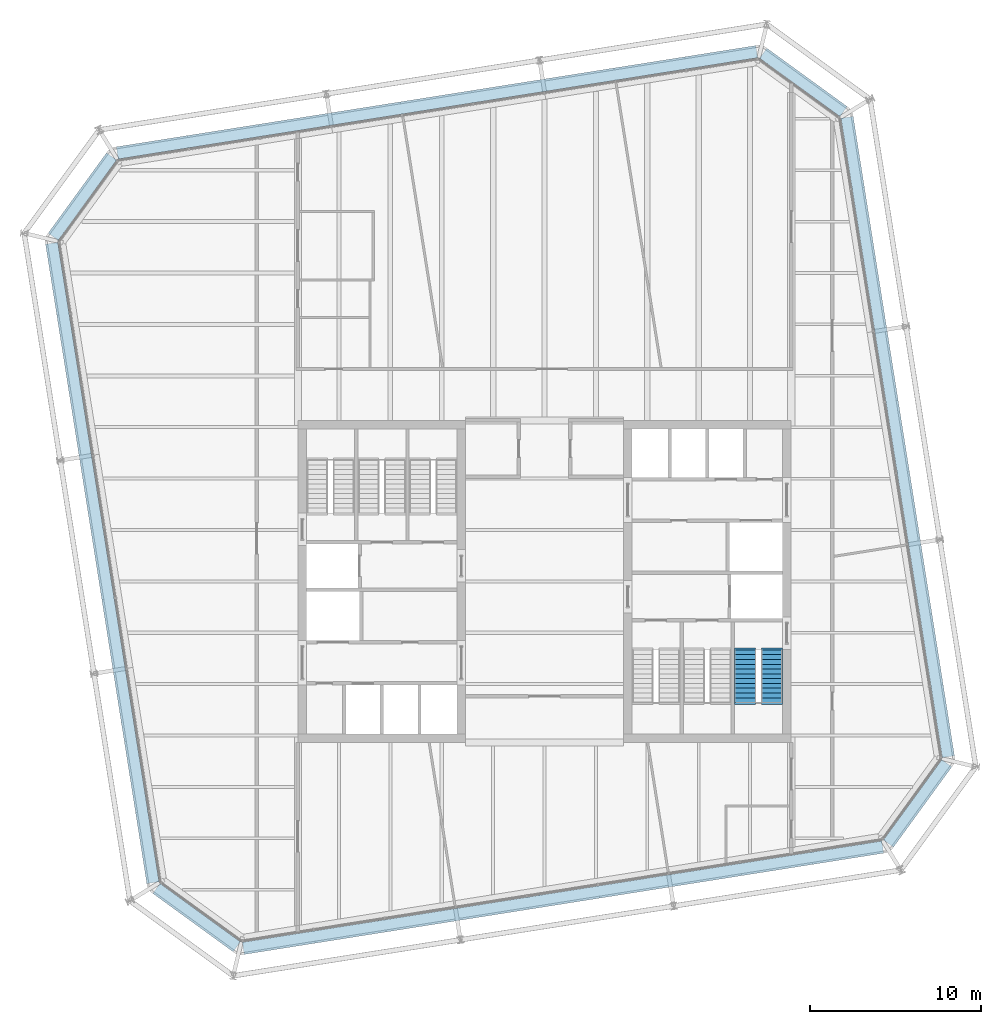
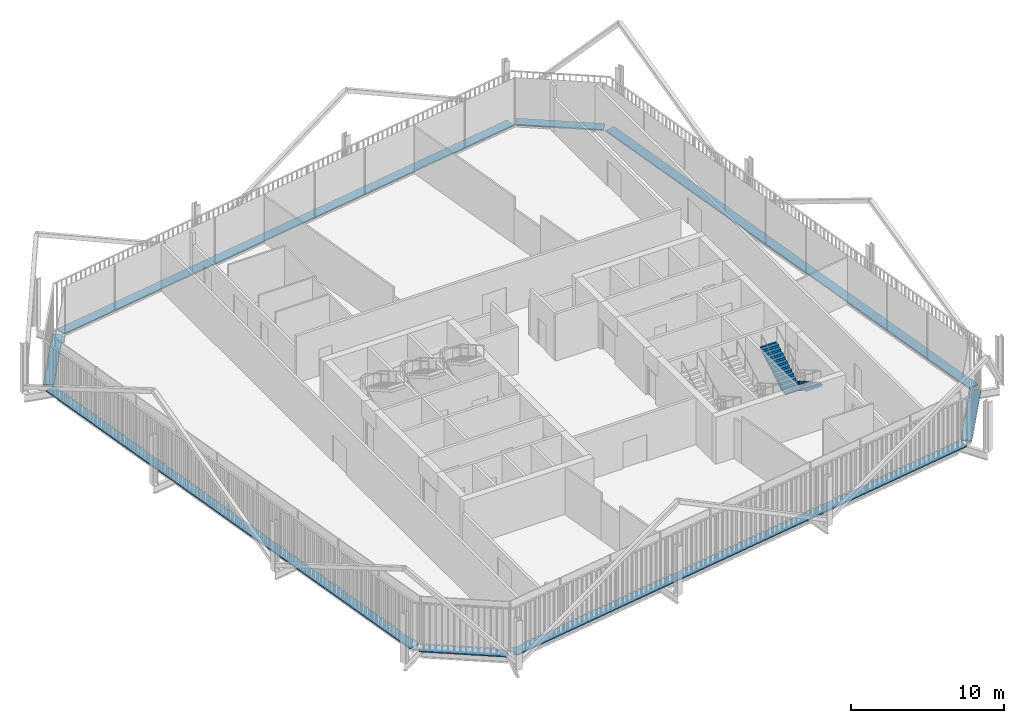
# One storey, part 20 of 21: 8 discrete accessories, 2 stair flights, 1 element without a shape of its own.
"""IFC4 building model written with IfcOpenShell, lengths in metres."""

from ifc_helpers import new_model, si_unit, direction, frame, origin, origin_2d, place, context, subcontext, project, spatial, polyline, rectangle, outline, extrude, material, type_object, element, aggregate, save


model = new_model("IFC4")

# Units and contexts
model_context = context("Model", 3, precision=1e-05, world=origin(), true_north=direction((0.0, 1.0)))
body_context = subcontext(model_context, "Body", "Model", "MODEL_VIEW")
ifc_project = project(units=[si_unit("LENGTHUNIT", "METRE"), si_unit("AREAUNIT", "SQUARE_METRE"), si_unit("VOLUMEUNIT", "CUBIC_METRE"), si_unit("PLANEANGLEUNIT", "RADIAN"), si_unit("MASSUNIT", "GRAM", prefix="KILO")], contexts=[model_context])

# Site, building, storey
site_placement = place(None, origin())
site = spatial("IfcSite", under=ifc_project, at=site_placement, CompositionType="ELEMENT")
building_placement = place(site_placement, origin())
building = spatial("IfcBuilding", under=site, at=building_placement, Name="Millrace Tower", CompositionType="ELEMENT")
storey_placement = place(building_placement, frame((0.0, 0.0, 228.10009765625)))
storey = spatial("IfcBuildingStorey", under=building, at=storey_placement, Name="L52", CompositionType="ELEMENT", Elevation=228.10009765625)

# Stair, stair flights
ifc_material_1 = material(Name="Concrete C35", Category="concrete")
stair_type = type_object("IfcStairType", Name="Exit stair", PredefinedType="HALF_TURN_STAIR", material=ifc_material_1)
stair_placement = place(storey_placement, origin())
stair = element("IfcStair", 1, at=stair_placement, inside=storey, type_object=stair_type, Name="Stair 1 E L52", PredefinedType="HALF_TURN_STAIR")
ifc_material_2 = material(Name="Concrete C35", Category="concrete")
stair_flight_type = type_object("IfcStairFlightType", Name="Exit stair flight", PredefinedType="STRAIGHT", material=ifc_material_2)
stair_flight_1_placement = place(storey_placement, frame((13.2900390625, -4.0, 0.0), z_axis=(0.0, 0.0, 1.0), x_axis=(0.0, -1.0, 0.0)))
stair_flight_1 = element("IfcStairFlight", 2, at=stair_flight_1_placement, type_object=stair_flight_type, Name="ST12 flight 1", NumberOfRisers=12, NumberOfTreads=11, PredefinedType="STRAIGHT", RiserHeight=0.1625, TreadLength=0.28, context=body_context, shape_type="SweptSolid", body=[
    extrude(outline(polyline([(-0.1201171875, -0.0400390625), (-0.1201171875, 0.0), (0.0, 0.0), (0.0, 0.16259765625), (0.280029296875, 0.16259765625), (0.280029296875, 0.324951171875), (0.56005859375, 0.324951171875), (0.56005859375, 0.487548828125), (0.840087890625, 0.487548828125), (0.840087890625, 0.64990234375), (1.1201171875, 0.64990234375), (1.1201171875, 0.8125), (1.39990234375, 0.8125), (1.39990234375, 0.97509765625), (1.679931640625, 0.97509765625), (1.679931640625, 1.137451171875), (1.9599609375, 1.137451171875), (1.9599609375, 1.300048828125), (2.239990234375, 1.300048828125), (2.239990234375, 1.46240234375), (2.52001953125, 1.46240234375), (2.52001953125, 1.625), (2.800048828125, 1.625), (2.800048828125, 1.78759765625), (3.080078125, 1.78759765625), (3.080078125, 1.8076171875), (3.199951171875, 1.8076171875), (3.199951171875, 1.6142578125), (3.080078125, 1.6142578125), (0.298583984375, 0.0), (0.298583984375, -0.0400390625), (-0.1201171875, -0.0400390625)])), frame((0.0, 0.60986328125, 0.0), z_axis=(0.0, -1.0, 0.0), x_axis=(1.0, 0.0, 0.0)), (0.0, 0.0, 1.0), 1.219970703125),
])
stair_flight_2_placement = place(storey_placement, frame((11.7099609375, -7.080078125, 1.949951171875), z_axis=(0.0, 0.0, 1.0), x_axis=(0.0, 1.0, 0.0)))
stair_flight_2 = element("IfcStairFlight", 3, at=stair_flight_2_placement, type_object=stair_flight_type, Name="ST12 flight 2", NumberOfRisers=12, NumberOfTreads=11, PredefinedType="STRAIGHT", RiserHeight=0.1625, TreadLength=0.28, context=body_context, shape_type="SweptSolid", body=[
    extrude(outline(polyline([(-0.1201171875, -0.0400390625), (-0.1201171875, 0.0), (0.0, 0.0), (0.0, 0.16259765625), (0.280029296875, 0.16259765625), (0.280029296875, 0.324951171875), (0.56005859375, 0.324951171875), (0.56005859375, 0.487548828125), (0.840087890625, 0.487548828125), (0.840087890625, 0.64990234375), (1.1201171875, 0.64990234375), (1.1201171875, 0.8125), (1.39990234375, 0.8125), (1.39990234375, 0.97509765625), (1.679931640625, 0.97509765625), (1.679931640625, 1.137451171875), (1.9599609375, 1.137451171875), (1.9599609375, 1.300048828125), (2.239990234375, 1.300048828125), (2.239990234375, 1.46240234375), (2.52001953125, 1.46240234375), (2.52001953125, 1.625), (2.800048828125, 1.625), (2.800048828125, 1.78759765625), (3.080078125, 1.78759765625), (3.080078125, 1.8076171875), (3.199951171875, 1.8076171875), (3.199951171875, 1.6142578125), (3.080078125, 1.6142578125), (0.298583984375, 0.0), (0.298583984375, -0.0400390625), (-0.1201171875, -0.0400390625)])), frame((0.0, 0.60986328125, 0.0), z_axis=(0.0, -1.0, 0.0), x_axis=(1.0, 0.0, 0.0)), (0.0, 0.0, 1.0), 1.219970703125),
])
aggregate(stair, [stair_flight_1, stair_flight_2])

# Discrete accessories
ifc_material_3 = material(Name="Stainless steel ASTM A240 type 316", Category="steel")
discrete_accessory_type = type_object("IfcDiscreteAccessoryType", Name="Thermally broken screen support rail", PredefinedType="BRACKET", material=ifc_material_3)
discrete_accessory_1_placement = place(storey_placement, frame((-20.314453125, -19.632080078125, -0.000244140625), z_axis=(0.0, 0.0, 1.0), x_axis=(0.809016955361, -0.587785305991, 0.0)))
element("IfcDiscreteAccessory", 4, at=discrete_accessory_1_placement, inside=storey, type_object=discrete_accessory_type, Name="Thermally broken screen support rail D-F01 L52 1", PredefinedType="BRACKET", context=body_context, shape_type="SweptSolid", body=[
    extrude(rectangle(XDim=5.79833984375, YDim=0.719970703125, at=origin_2d()), origin(), (0.0, 0.0, 1.0), 0.10009765625),
])
discrete_accessory_2_placement = place(storey_placement, frame((1.077880859375, -18.470458984375, -0.000244140625), z_axis=(0.0, 0.0, 1.0), x_axis=(0.987688339511, 0.156434471884, 0.0)))
element("IfcDiscreteAccessory", 5, at=discrete_accessory_2_placement, inside=storey, type_object=discrete_accessory_type, Name="Thermally broken screen support rail D-F02 L52 1", PredefinedType="BRACKET", context=body_context, shape_type="SweptSolid", body=[
    extrude(rectangle(XDim=37.800048828125, YDim=0.719970703125, at=origin_2d()), origin(), (0.0, 0.0, 1.0), 0.10009765625),
])
discrete_accessory_3_placement = place(storey_placement, frame((21.781982421875, -12.964599609375, -0.000244140625), z_axis=(0.0, 0.0, 1.0), x_axis=(0.587785305991, 0.809016955361, 0.0)))
element("IfcDiscreteAccessory", 6, at=discrete_accessory_3_placement, inside=storey, type_object=discrete_accessory_type, Name="Thermally broken screen support rail D-F03 L52 1", PredefinedType="BRACKET", context=body_context, shape_type="SweptSolid", body=[
    extrude(rectangle(XDim=5.79833984375, YDim=0.719970703125, at=origin_2d()), origin(), (0.0, 0.0, 1.0), 0.10009765625),
])
discrete_accessory_4_placement = place(storey_placement, frame((20.62060546875, 8.427734375, -0.000244140625), z_axis=(0.0, 0.0, 1.0), x_axis=(-0.156434471884, 0.987688339511, 0.0)))
element("IfcDiscreteAccessory", 7, at=discrete_accessory_4_placement, inside=storey, type_object=discrete_accessory_type, Name="Thermally broken screen support rail D-F04 L52 1", PredefinedType="BRACKET", context=body_context, shape_type="SweptSolid", body=[
    extrude(rectangle(XDim=37.800048828125, YDim=0.719970703125, at=origin_2d()), origin(), (0.0, 0.0, 1.0), 0.10009765625),
])
discrete_accessory_5_placement = place(storey_placement, frame((15.114501953125, 29.132080078125, -0.000244140625), z_axis=(0.0, 0.0, 1.0), x_axis=(-0.809016955361, 0.587785305991, 0.0)))
element("IfcDiscreteAccessory", 8, at=discrete_accessory_5_placement, inside=storey, type_object=discrete_accessory_type, Name="Thermally broken screen support rail D-F05 L52 1", PredefinedType="BRACKET", context=body_context, shape_type="SweptSolid", body=[
    extrude(rectangle(XDim=5.79833984375, YDim=0.719970703125, at=origin_2d()), origin(), (0.0, 0.0, 1.0), 0.10009765625),
])
discrete_accessory_6_placement = place(storey_placement, frame((-6.27783203125, 27.970458984375, -0.000244140625), z_axis=(0.0, 0.0, 1.0), x_axis=(-0.987688339511, -0.156434471884, 0.0)))
element("IfcDiscreteAccessory", 9, at=discrete_accessory_6_placement, inside=storey, type_object=discrete_accessory_type, Name="Thermally broken screen support rail D-F06 L52 1", PredefinedType="BRACKET", context=body_context, shape_type="SweptSolid", body=[
    extrude(rectangle(XDim=37.800048828125, YDim=0.719970703125, at=origin_2d()), origin(), (0.0, 0.0, 1.0), 0.10009765625),
])
discrete_accessory_7_placement = place(storey_placement, frame((-26.98193359375, 22.464599609375, -0.000244140625), z_axis=(0.0, 0.0, 1.0), x_axis=(-0.587785305991, -0.809016955361, 0.0)))
element("IfcDiscreteAccessory", 10, at=discrete_accessory_7_placement, inside=storey, type_object=discrete_accessory_type, Name="Thermally broken screen support rail D-F07 L52 1", PredefinedType="BRACKET", context=body_context, shape_type="SweptSolid", body=[
    extrude(rectangle(XDim=5.79833984375, YDim=0.719970703125, at=origin_2d()), origin(), (0.0, 0.0, 1.0), 0.10009765625),
])
discrete_accessory_8_placement = place(storey_placement, frame((-25.820556640625, 1.072265625, -0.000244140625), z_axis=(0.0, 0.0, 1.0), x_axis=(0.156434471884, -0.987688339511, 0.0)))
element("IfcDiscreteAccessory", 11, at=discrete_accessory_8_placement, inside=storey, type_object=discrete_accessory_type, Name="Thermally broken screen support rail D-F08 L52 1", PredefinedType="BRACKET", context=body_context, shape_type="SweptSolid", body=[
    extrude(rectangle(XDim=37.800048828125, YDim=0.719970703125, at=origin_2d()), origin(), (0.0, 0.0, 1.0), 0.10009765625),
])

save(model, "model.ifc")
